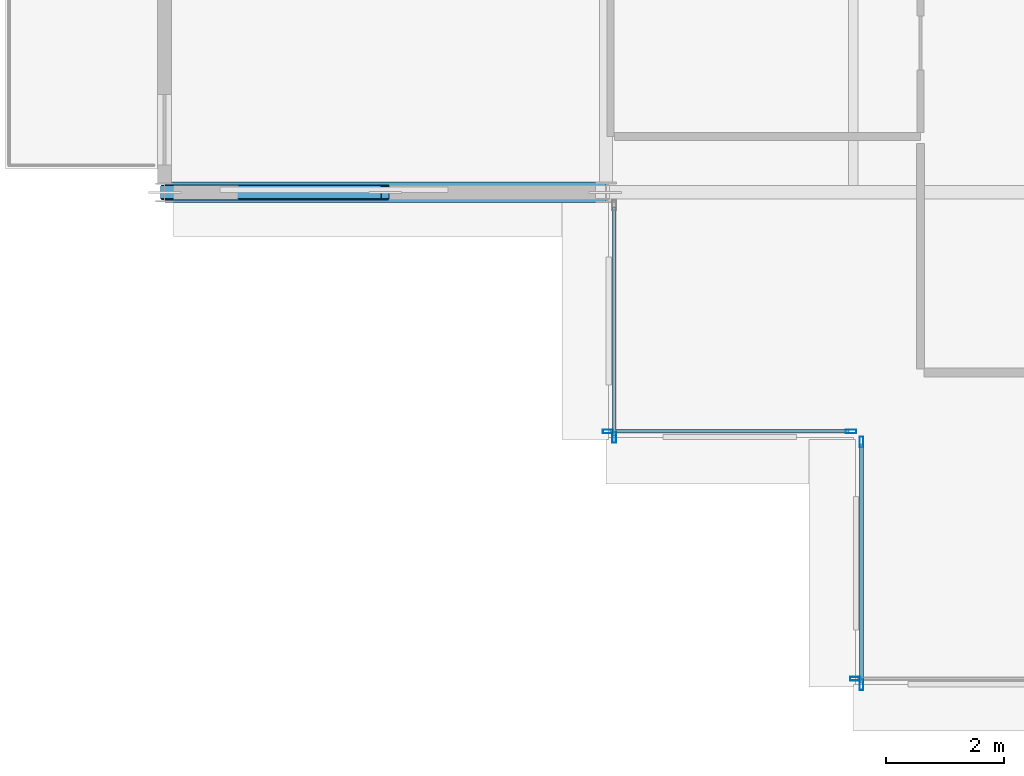
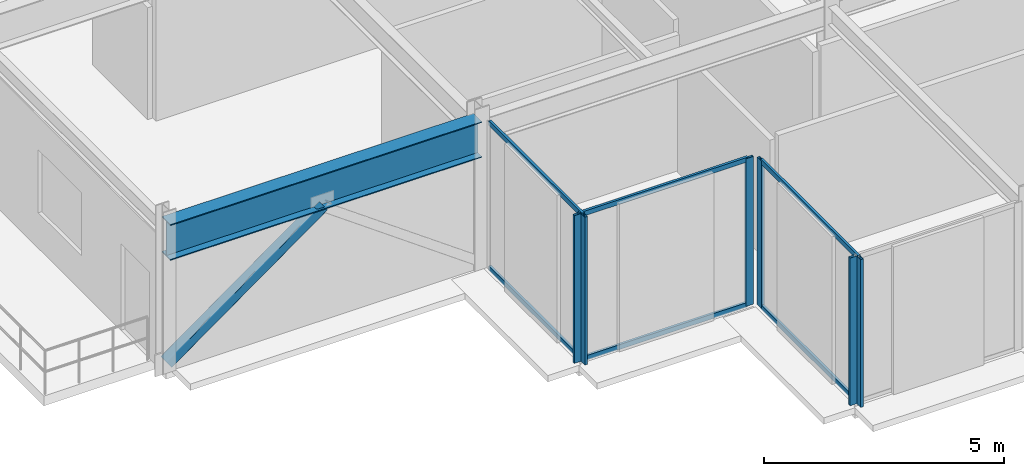
# One storey, part 3 of 30: 13 members, 1 beam, 4 elements without a shape of their own.
"""IFC4 building model written with IfcOpenShell, lengths in metres."""

from ifc_helpers import new_model, si_unit, direction, frame, origin, origin_2d, place, context, subcontext, project, spatial, hollow_rectangle, i_section, extrude, material, layer, layer_set, material_profile, profile_set, type_object, element, aggregate, save


model = new_model("IFC4")

# Units and contexts
model_context = context("Model", 3, precision=1e-05, world=origin(), true_north=direction((0.0, 1.0)))
body_context = subcontext(model_context, "Body", "Model", "MODEL_VIEW")
ifc_project = project(units=[si_unit("LENGTHUNIT", "METRE"), si_unit("AREAUNIT", "SQUARE_METRE"), si_unit("VOLUMEUNIT", "CUBIC_METRE"), si_unit("PLANEANGLEUNIT", "RADIAN"), si_unit("MASSUNIT", "GRAM", prefix="KILO")], contexts=[model_context])

# Site, building, storey
site_placement = place(None, origin())
site = spatial("IfcSite", under=ifc_project, at=site_placement, CompositionType="ELEMENT")
building_placement = place(site_placement, origin())
building = spatial("IfcBuilding", under=site, at=building_placement, Name="Nerrivon Quay Data Exchange", CompositionType="ELEMENT")
storey_placement = place(building_placement, frame((0.0, 0.0, 216.5)))
storey = spatial("IfcBuildingStorey", under=building, at=storey_placement, Name="L51", CompositionType="ELEMENT", Elevation=216.5)

# Beam
ifc_material_1 = material(Name="Steel Grade 350", Category="steel")
ifc_material_profile_1 = material_profile(ifc_material_1, i_section(OverallWidth=0.35009765625, OverallDepth=0.909912109375, WebThickness=0.011962890625, FlangeThickness=0.02490234375, at=origin_2d()), Name="900WB218")
ifc_profile_set_1 = profile_set([ifc_material_profile_1], Name="Steel Grade 350")
beam_type = type_object("IfcBeamType", Name="BM-CANT-900WB", PredefinedType="USERDEFINED", material=ifc_profile_set_1)
beam_placement = place(storey_placement, frame((-0.010009765625, 8.39990234375, 3.294921875), z_axis=(-1.0, 0.0, 0.0), x_axis=(0.0, -1.0, 0.0)))
element("IfcBeam", 1, at=beam_placement, inside=storey, type_object=beam_type, Name="L51 West Hooked Cantilever Girder Y=8.4", ObjectType="TRANSFER", PredefinedType="USERDEFINED", context=body_context, shape_type="SweptSolid", body=[
    extrude(i_section(OverallWidth=0.35009765625, OverallDepth=0.909912109375, WebThickness=0.011962890625, FlangeThickness=0.02490234375, at=origin_2d()), origin(), (0.0, 0.0, 1.0), 7.482177734375),
])

# Curtain wall, member
ifc_material_2 = material(Name="Anodised aluminium 6063-T6", Category="aluminium")
ifc_layer = layer(ifc_material_2, 0.195068359375)
ifc_layer_set = layer_set([ifc_layer], Name="Anodised aluminium 6063-T6")
curtain_wall_type = type_object("IfcCurtainWallType", Name="CW-SYS-06", PredefinedType="NOTDEFINED", material=ifc_layer_set)
curtain_wall_1_placement = place(storey_placement, origin())
curtain_wall_1 = element("IfcCurtainWall", 2, at=curtain_wall_1_placement, inside=storey, type_object=curtain_wall_type, Name="L51 Unitised Curtain Wall 28", PredefinedType="NOTDEFINED")
ifc_material_profile_2 = material_profile(ifc_material_2, hollow_rectangle(XDim=0.06494140625, YDim=0.179931640625, WallThickness=0.00341796875, at=origin_2d()), Name="ALU-MULL-180x65")
ifc_profile_set_2 = profile_set([ifc_material_profile_2], Name="Anodised aluminium 6063-T6")
member_type_1 = type_object("IfcMemberType", Name="CWM-180x65", PredefinedType="MULLION", material=ifc_profile_set_2)
member_1_placement = place(storey_placement, frame((4.237548828125, 0.139892578125, 0.0), z_axis=(0.0, 0.0, 1.0), x_axis=(0.0, -1.0, 0.0)))
member_1 = element("IfcMember", 3, at=member_1_placement, type_object=member_type_1, Name="CW06 mullion 2", PredefinedType="MULLION", context=body_context, shape_type="SweptSolid", body=[
    extrude(hollow_rectangle(XDim=0.06494140625, YDim=0.179931640625, WallThickness=0.00341796875, at=origin_2d()), origin(), (0.0, 0.0, 1.0), 3.75),
])
aggregate(curtain_wall_1, [member_1])

# Curtain wall, members
curtain_wall_2_placement = place(storey_placement, origin())
curtain_wall_2 = element("IfcCurtainWall", 4, at=curtain_wall_2_placement, inside=storey, type_object=curtain_wall_type, Name="L51 Unitised Curtain Wall 29", PredefinedType="NOTDEFINED")
member_2_placement = place(storey_placement, frame((4.340087890625, 0.03759765625, 0.0), z_axis=(0.0, 0.0, 1.0), x_axis=(-1.0, 0.0, 0.0)))
member_2 = element("IfcMember", 5, at=member_2_placement, type_object=member_type_1, Name="CW06 mullion 1", PredefinedType="MULLION", context=body_context, shape_type="SweptSolid", body=[
    extrude(hollow_rectangle(XDim=0.06494140625, YDim=0.179931640625, WallThickness=0.00341796875, at=origin_2d()), origin(), (0.0, 0.0, 1.0), 3.75),
])
member_3_placement = place(storey_placement, frame((4.340087890625, 4.16259765625, 0.0), z_axis=(0.0, 0.0, 1.0), x_axis=(-1.0, 0.0, 0.0)))
member_3 = element("IfcMember", 6, at=member_3_placement, type_object=member_type_1, Name="CW06 mullion 2", PredefinedType="MULLION", context=body_context, shape_type="SweptSolid", body=[
    extrude(hollow_rectangle(XDim=0.06494140625, YDim=0.179931640625, WallThickness=0.00341796875, at=origin_2d()), origin(), (0.0, 0.0, 1.0), 3.75),
])

curtain_wall_3_placement = place(storey_placement, origin())
curtain_wall_3 = element("IfcCurtainWall", 7, at=curtain_wall_3_placement, inside=storey, type_object=curtain_wall_type, Name="L51 Unitised Curtain Wall 30", PredefinedType="NOTDEFINED")
member_4_placement = place(storey_placement, frame((4.16259765625, 4.340087890625, 0.0), z_axis=(0.0, 0.0, 1.0), x_axis=(0.0, -1.0, 0.0)))
member_4 = element("IfcMember", 8, at=member_4_placement, type_object=member_type_1, Name="CW06 mullion 1", PredefinedType="MULLION", context=body_context, shape_type="SweptSolid", body=[
    extrude(hollow_rectangle(XDim=0.06494140625, YDim=0.179931640625, WallThickness=0.00341796875, at=origin_2d()), origin(), (0.0, 0.0, 1.0), 3.75),
])
member_5_placement = place(storey_placement, frame((0.03759765625, 4.340087890625, 0.0), z_axis=(0.0, 0.0, 1.0), x_axis=(0.0, -1.0, 0.0)))
member_5 = element("IfcMember", 9, at=member_5_placement, type_object=member_type_1, Name="CW06 mullion 2", PredefinedType="MULLION", context=body_context, shape_type="SweptSolid", body=[
    extrude(hollow_rectangle(XDim=0.06494140625, YDim=0.179931640625, WallThickness=0.00341796875, at=origin_2d()), origin(), (0.0, 0.0, 1.0), 3.75),
])

# Curtain wall, member
curtain_wall_4_placement = place(storey_placement, origin())
curtain_wall_4 = element("IfcCurtainWall", 10, at=curtain_wall_4_placement, inside=storey, type_object=curtain_wall_type, Name="L51 Unitised Curtain Wall 31", PredefinedType="NOTDEFINED")
member_6_placement = place(storey_placement, frame((0.139892578125, 4.237548828125, 0.0), z_axis=(0.0, 0.0, 1.0), x_axis=(-1.0, 0.0, 0.0)))
member_6 = element("IfcMember", 11, at=member_6_placement, type_object=member_type_1, Name="CW06 mullion 1", PredefinedType="MULLION", context=body_context, shape_type="SweptSolid", body=[
    extrude(hollow_rectangle(XDim=0.06494140625, YDim=0.179931640625, WallThickness=0.00341796875, at=origin_2d()), origin(), (0.0, 0.0, 1.0), 3.75),
])

# Member
ifc_material_profile_3 = material_profile(ifc_material_2, hollow_rectangle(XDim=0.06005859375, YDim=0.1201171875, WallThickness=0.003173828125, at=origin_2d()), Name="ALU-TRAN-120x60")
ifc_profile_set_3 = profile_set([ifc_material_profile_3], Name="Anodised aluminium 6063-T6")
member_type_2 = type_object("IfcMemberType", Name="CWT-120x60", PredefinedType="USERDEFINED", material=ifc_profile_set_3)
member_7_placement = place(storey_placement, frame((4.340087890625, 0.074951171875, 0.032470703125), z_axis=(0.0, 1.0, 0.0), x_axis=(-1.0, 0.0, 0.0)))
member_7 = element("IfcMember", 12, at=member_7_placement, type_object=member_type_2, Name="CW06 transom 1.1", ObjectType="TRANSOM", PredefinedType="USERDEFINED", context=body_context, shape_type="SweptSolid", body=[
    extrude(hollow_rectangle(XDim=0.06005859375, YDim=0.1201171875, WallThickness=0.003173828125, at=origin_2d()), origin(), (0.0, 0.0, 1.0), 4.050048828125),
])

member_8_placement = place(storey_placement, frame((4.340087890625, 0.074951171875, 3.717529296875), z_axis=(0.0, 1.0, 0.0), x_axis=(-1.0, 0.0, 0.0)))
member_8 = element("IfcMember", 13, at=member_8_placement, type_object=member_type_2, Name="CW06 transom 1.2", ObjectType="TRANSOM", PredefinedType="USERDEFINED", context=body_context, shape_type="SweptSolid", body=[
    extrude(hollow_rectangle(XDim=0.06005859375, YDim=0.1201171875, WallThickness=0.003173828125, at=origin_2d()), origin(), (0.0, 0.0, 1.0), 4.050048828125),
])

aggregate(curtain_wall_2, [member_2, member_3, member_7, member_8])

member_9_placement = place(storey_placement, frame((4.125, 4.340087890625, 0.032470703125), z_axis=(-1.0, 0.0, 0.0), x_axis=(0.0, -1.0, 0.0)))
member_9 = element("IfcMember", 14, at=member_9_placement, type_object=member_type_2, Name="CW06 transom 1.1", ObjectType="TRANSOM", PredefinedType="USERDEFINED", context=body_context, shape_type="SweptSolid", body=[
    extrude(hollow_rectangle(XDim=0.06005859375, YDim=0.1201171875, WallThickness=0.003173828125, at=origin_2d()), origin(), (0.0, 0.0, 1.0), 4.050048828125),
])

member_10_placement = place(storey_placement, frame((4.125, 4.340087890625, 3.717529296875), z_axis=(-1.0, 0.0, 0.0), x_axis=(0.0, -1.0, 0.0)))
member_10 = element("IfcMember", 15, at=member_10_placement, type_object=member_type_2, Name="CW06 transom 1.2", ObjectType="TRANSOM", PredefinedType="USERDEFINED", context=body_context, shape_type="SweptSolid", body=[
    extrude(hollow_rectangle(XDim=0.06005859375, YDim=0.1201171875, WallThickness=0.003173828125, at=origin_2d()), origin(), (0.0, 0.0, 1.0), 4.050048828125),
])

aggregate(curtain_wall_3, [member_4, member_5, member_9, member_10])

member_11_placement = place(storey_placement, frame((0.139892578125, 4.27490234375, 0.032470703125), z_axis=(0.0, 1.0, 0.0), x_axis=(-1.0, 0.0, 0.0)))
member_11 = element("IfcMember", 16, at=member_11_placement, type_object=member_type_2, Name="CW06 transom 1.1", ObjectType="TRANSOM", PredefinedType="USERDEFINED", context=body_context, shape_type="SweptSolid", body=[
    extrude(hollow_rectangle(XDim=0.06005859375, YDim=0.1201171875, WallThickness=0.003173828125, at=origin_2d()), origin(), (0.0, 0.0, 1.0), 3.875),
])

member_12_placement = place(storey_placement, frame((0.139892578125, 4.27490234375, 3.717529296875), z_axis=(0.0, 1.0, 0.0), x_axis=(-1.0, 0.0, 0.0)))
member_12 = element("IfcMember", 17, at=member_12_placement, type_object=member_type_2, Name="CW06 transom 1.2", ObjectType="TRANSOM", PredefinedType="USERDEFINED", context=body_context, shape_type="SweptSolid", body=[
    extrude(hollow_rectangle(XDim=0.06005859375, YDim=0.1201171875, WallThickness=0.003173828125, at=origin_2d()), origin(), (0.0, 0.0, 1.0), 3.875),
])

aggregate(curtain_wall_4, [member_6, member_11, member_12])

ifc_material_3 = material(Name="Steel Grade C350L0 (350 MPa)", Category="steel")
ifc_material_profile_4 = material_profile(ifc_material_3, hollow_rectangle(XDim=0.25, YDim=0.25, WallThickness=0.012451171875, InnerFilletRadius=0.018798828125, OuterFilletRadius=0.03125, at=origin_2d()), Name="250x250x12.5SHS")
ifc_profile_set_4 = profile_set([ifc_material_profile_4], Name="Steel Grade C350L0 (350 MPa)")
member_type_3 = type_object("IfcMemberType", Name="MEM-WB1-250SHS", PredefinedType="BRACE", material=ifc_profile_set_4)
member_13_placement = place(storey_placement, frame((-7.4921875, 8.39990234375, 0.159912109375), z_axis=(0.811965158565, 0.0, 0.583705903068), x_axis=(0.0, 1.0, 0.0)))
element("IfcMember", 18, at=member_13_placement, inside=storey, type_object=member_type_3, Name="L51 structural brace BR-L51-WHOOK-084B", PredefinedType="BRACE", context=body_context, shape_type="SweptSolid", body=[
    extrude(hollow_rectangle(XDim=0.25, YDim=0.25, WallThickness=0.012451171875, InnerFilletRadius=0.018798828125, OuterFilletRadius=0.03125, at=origin_2d()), origin(), (0.0, 0.0, 1.0), 4.60888671875),
])

save(model, "model.ifc")
